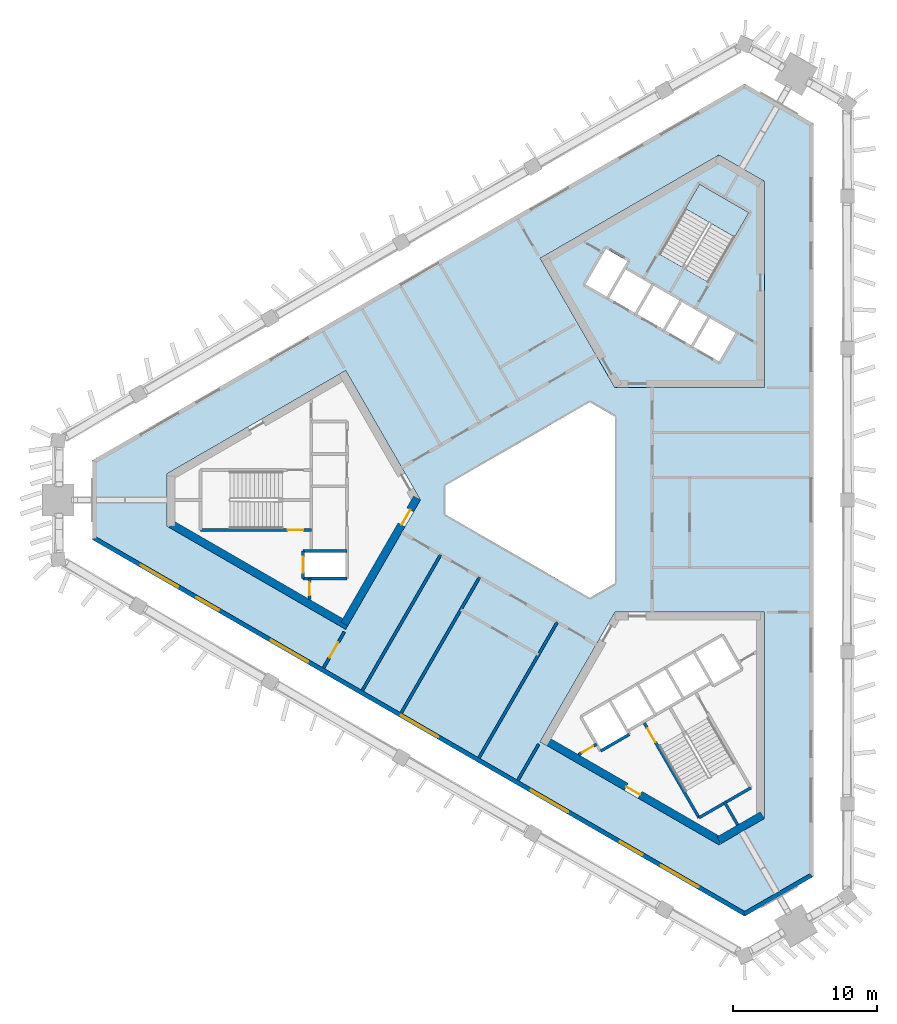
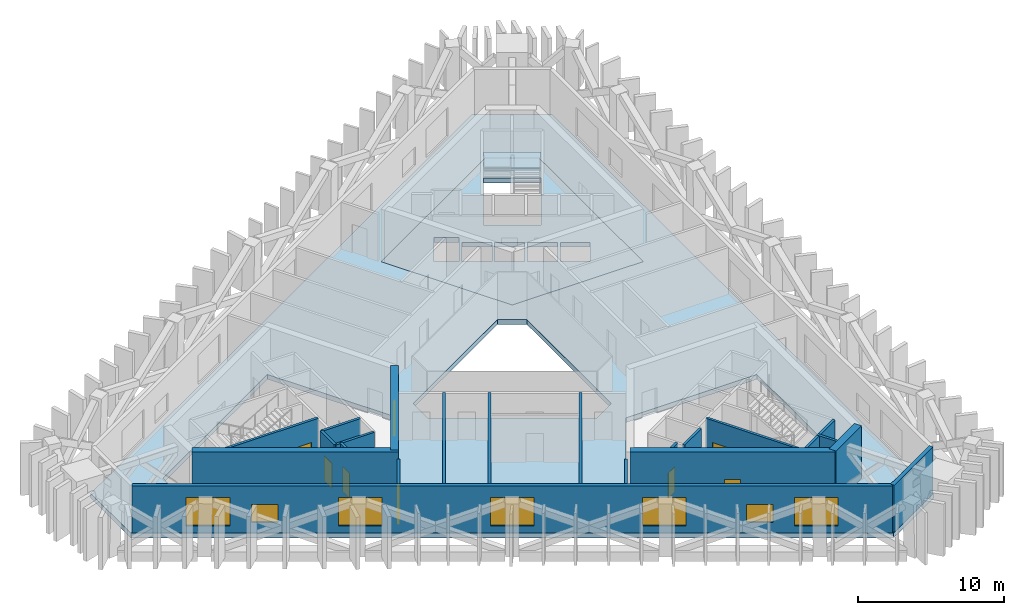
# One storey, part 3 of 9: 21 walls, 8 doors, 7 windows, 3 slabs, 15 openings, 1 element without a shape of its own.
"""IFC4 building model written with IfcOpenShell, lengths in metres."""

from ifc_helpers import new_model, si_unit, direction, frame, frame_2d, origin, place, context, subcontext, project, spatial, polyline, rectangle, outline, extrude, material, layer, layer_set, type_object, element, fill, aggregate, save


model = new_model("IFC4")

# Units and contexts
model_context = context("Model", 3, precision=1e-05, world=origin(), true_north=direction((0.0, 1.0)))
body_context = subcontext(model_context, "Body", "Model", "MODEL_VIEW")
ifc_project = project(units=[si_unit("LENGTHUNIT", "METRE"), si_unit("AREAUNIT", "SQUARE_METRE"), si_unit("VOLUMEUNIT", "CUBIC_METRE"), si_unit("PLANEANGLEUNIT", "RADIAN"), si_unit("MASSUNIT", "GRAM", prefix="KILO")], contexts=[model_context])

# Site, building, storey
site_placement = place(None, origin())
site = spatial("IfcSite", under=ifc_project, at=site_placement, CompositionType="ELEMENT")
building_placement = place(site_placement, origin())
building = spatial("IfcBuilding", under=site, at=building_placement, Name="Jabali Bay Hotel Tower and Convention Centre", CompositionType="ELEMENT")
storey_placement = place(building_placement, frame((0.0, 0.0, 197.0)))
storey = spatial("IfcBuildingStorey", under=building, at=storey_placement, Name="L48", CompositionType="ELEMENT", Elevation=197.0)

# Slabs
ifc_material_1 = material(Name="Concrete C40", Category="concrete")
ifc_layer_1 = layer(ifc_material_1, 0.39990234375)
ifc_layer_set_1 = layer_set([ifc_layer_1], Name="Concrete C40")
slab_type_1 = type_object("IfcSlabType", Name="Core floor slab 400", PredefinedType="FLOOR", material=ifc_layer_set_1)
slab_1_placement = place(storey_placement, frame((0.0, 0.0, -0.39990234375)))
element("IfcSlab", 1, at=slab_1_placement, inside=storey, type_object=slab_type_1, Name="Core floor slab 2 L48", PredefinedType="FLOOR", context=body_context, shape_type="SweptSolid", body=[
    extrude(outline(polyline([(79.5, 87.794189453125), (89.8798828125, 87.794189453125), (89.8798828125, 102.127685546875), (86.72314453125, 103.9501953125), (74.31005859375, 96.78369140625), (79.5, 87.794189453125)]), holes=[polyline([(84.957763671875, 90.6474609375), (86.733154296875, 89.62255859375), (87.873291015625, 91.59716796875), (86.097900390625, 92.6220703125), (84.957763671875, 90.6474609375)]), polyline([(84.1494140625, 93.7470703125), (83.00927734375, 91.7724609375), (84.78466796875, 90.74755859375), (85.924560546875, 92.72216796875), (84.1494140625, 93.7470703125)]), polyline([(82.20068359375, 94.8720703125), (81.060791015625, 92.8974609375), (82.836181640625, 91.87255859375), (83.97607421875, 93.84716796875), (82.20068359375, 94.8720703125)]), polyline([(79.1123046875, 94.0224609375), (80.887451171875, 92.99755859375), (82.027587890625, 94.97216796875), (80.252197265625, 95.9970703125), (79.1123046875, 94.0224609375)]), polyline([(78.891845703125, 97.440673828125), (77.466796875, 94.97265625), (78.93896484375, 94.12255859375), (80.364013671875, 96.5908203125), (78.891845703125, 97.440673828125)]), polyline([(82.584716796875, 97.0869140625), (86.00537109375, 95.11181640625), (88.80029296875, 99.952880859375), (85.379638671875, 101.927978515625), (82.584716796875, 97.0869140625)])]), origin(), (0.0, 0.0, 1.0), 0.39990234375),
])
ifc_layer_2 = layer(ifc_material_1, 0.39990234375)
ifc_layer_set_2 = layer_set([ifc_layer_2], Name="Concrete C40")
slab_type_2 = type_object("IfcSlabType", Name="Post-tensioned flat slab 400", PredefinedType="FLOOR", material=ifc_layer_set_2)
slab_2_placement = place(storey_placement, frame((0.0, 0.0, -0.39990234375)))
element("IfcSlab", 2, at=slab_2_placement, inside=storey, type_object=slab_type_2, Name="Floor slab L48", PredefinedType="FLOOR", context=body_context, shape_type="SweptSolid", body=[
    extrude(outline(polyline([(88.509521484375, 108.90576171875), (93.278564453125, 106.152587890625), (93.278564453125, 53.847412109375), (88.509521484375, 51.09423828125), (43.2119140625, 77.24658203125), (43.2119140625, 82.75341796875), (88.509521484375, 108.90576171875)]), holes=[polyline([(67.73193359375, 79.0), (77.76806640625, 73.205810546875), (79.5, 74.205810546875), (79.5, 85.794189453125), (77.76806640625, 86.794189453125), (67.73193359375, 81.0), (67.73193359375, 79.0)]), polyline([(48.39697265625, 78.17724609375), (60.81005859375, 71.0107421875), (66.0, 80.0), (60.81005859375, 88.9892578125), (48.39697265625, 81.82275390625), (48.39697265625, 78.17724609375)]), polyline([(89.8798828125, 102.127685546875), (86.72314453125, 103.9501953125), (74.31005859375, 96.78369140625), (79.5, 87.794189453125), (89.8798828125, 87.794189453125), (89.8798828125, 102.127685546875)]), polyline([(74.31005859375, 63.21630859375), (86.72314453125, 56.0498046875), (89.8798828125, 57.872314453125), (89.8798828125, 72.205810546875), (79.5, 72.205810546875), (74.31005859375, 63.21630859375)])]), origin(), (0.0, 0.0, 1.0), 0.39990234375),
])

# Stair, slab
stair_type = type_object("IfcStairType", Name="Exit stair 1900", PredefinedType="HALF_TURN_STAIR", material=ifc_material_1)
stair_placement = place(storey_placement, origin())
stair = element("IfcStair", 3, at=stair_placement, inside=storey, type_object=stair_type, Name="L48 Exit Stair 2", PredefinedType="HALF_TURN_STAIR")
ifc_layer_3 = layer(ifc_material_1, 0.199951171875)
ifc_layer_set_3 = layer_set([ifc_layer_3], Name="Concrete C40")
slab_type_3 = type_object("IfcSlabType", Name="Stair landing 200", PredefinedType="LANDING", material=ifc_layer_set_3)
slab_3_placement = place(storey_placement, frame((0.0, 0.0, 2.0)))
slab_3 = element("IfcSlab", 4, at=slab_3_placement, type_object=slab_type_3, Name="ST2 landing 1", PredefinedType="LANDING", context=body_context, shape_type="SweptSolid", body=[
    extrude(outline(polyline([(87.81884765625, 98.2529296875), (88.80029296875, 99.952880859375), (85.379638671875, 101.927978515625), (84.398193359375, 100.22802734375), (87.81884765625, 98.2529296875)])), origin(), (0.0, 0.0, 1.0), 0.199951171875),
])
aggregate(stair, [slab_3])

# Wall, opening, door
ifc_layer_4 = layer(ifc_material_1, 0.199951171875)
ifc_layer_set_4 = layer_set([ifc_layer_4], Name="Concrete C40")
wall_type_1 = type_object("IfcWallType", Name="Core partition wall 200", PredefinedType="PARTITIONING", material=ifc_layer_set_4)
wall_1_placement = place(storey_placement, frame((58.300048828125, 74.550048828125, 0.0), z_axis=(0.0, 0.0, 1.0), x_axis=(0.0, -1.0, 0.0)))
wall_1 = element("IfcWall", 5, at=wall_1_placement, inside=storey, type_object=wall_type_1, Name="Core wall 0.11 L48", PredefinedType="PARTITIONING", context=body_context, shape_type="SweptSolid", body=[
    extrude(rectangle(XDim=1.455078125, YDim=0.199951171875, at=frame_2d((0.7275390625, 0.0))), origin(), (0.0, 0.0, 1.0), 3.949951171875),
])
opening_1_placement = place(wall_1_placement, frame((0.277587890625, 0.0, 0.0)))
opening_1 = element("IfcOpeningElement", 6, at=opening_1_placement, cuts=wall_1, Name="Opening D1033", PredefinedType="OPENING", context=body_context, shape_type="SweptSolid", body=[
    extrude(rectangle(XDim=0.89990234375, YDim=2.10009765625, at=frame_2d((0.449951171875, 1.050048828125))), frame((0.0, 0.1103515625, 0.0), z_axis=(0.0, -1.0, 0.0), x_axis=(1.0, 0.0, 0.0)), (0.0, 0.0, 1.0), 0.220947265625),
])
ifc_material_2 = material(Name="Fire-rated steel door", Category="steel")
door_type_1 = type_object("IfcDoorType", Name="Vestibule fire door 900 x 2100", OperationType="NOTDEFINED", PredefinedType="NOTDEFINED", material=ifc_material_2)
door_1_placement = place(opening_1_placement, origin())
door_1 = element("IfcDoor", 7, at=door_1_placement, inside=storey, type_object=door_type_1, Name="Vestibule fire door D1033", OperationType="SINGLE_SWING_LEFT", OverallHeight=2.10009765625, OverallWidth=0.89990234375, PredefinedType="NOTDEFINED", context=body_context, shape_type="SweptSolid", body=[
    extrude(rectangle(XDim=0.89990234375, YDim=2.10009765625, at=frame_2d((0.449951171875, 1.050048828125))), frame((0.0, 0.02490234375, 0.0), z_axis=(0.0, -1.0, 0.0), x_axis=(1.0, 0.0, 0.0)), (0.0, 0.0, 1.0), 0.050048828125),
])
fill(opening_1, door_1)

# Wall
wall_2_placement = place(storey_placement, frame((87.090087890625, 59.0595703125, 0.0), z_axis=(0.0, 0.0, 1.0), x_axis=(0.499951854219, -0.86605319898, 0.0)))
element("IfcWall", 8, at=wall_2_placement, inside=storey, type_object=wall_type_1, Name="Core wall 2.5 L48", PredefinedType="PARTITIONING", context=body_context, shape_type="SweptSolid", body=[
    extrude(rectangle(XDim=1.873291015625, YDim=0.199951171875, at=frame_2d((0.9365234375, 0.0))), origin(), (0.0, 0.0, 1.0), 3.949951171875),
])

# Wall, opening, door
wall_3_placement = place(storey_placement, frame((76.969970703125, 62.315673828125, 0.0), z_axis=(0.0, 0.0, 1.0), x_axis=(0.865982457891, 0.500074377092, 0.0)))
wall_3 = element("IfcWall", 9, at=wall_3_placement, inside=storey, type_object=wall_type_1, Name="Core wall 2.11 L48", PredefinedType="PARTITIONING", context=body_context, shape_type="SweptSolid", body=[
    extrude(rectangle(XDim=1.461181640625, YDim=0.199951171875, at=frame_2d((0.73046875, 0.0))), origin(), (0.0, 0.0, 1.0), 3.949951171875),
])
opening_2_placement = place(wall_3_placement, frame((0.280517578125, 0.0, 0.0)))
opening_2 = element("IfcOpeningElement", 10, at=opening_2_placement, cuts=wall_3, Name="Opening D1048", PredefinedType="OPENING", context=body_context, shape_type="SweptSolid", body=[
    extrude(rectangle(XDim=0.89990234375, YDim=2.10009765625, at=frame_2d((0.449951171875, 1.050048828125))), frame((0.0, 0.1103515625, 0.0), z_axis=(0.0, -1.0, 0.0), x_axis=(1.0, 0.0, 0.0)), (0.0, 0.0, 1.0), 0.220947265625),
])
door_2_placement = place(opening_2_placement, origin())
door_2 = element("IfcDoor", 11, at=door_2_placement, inside=storey, type_object=door_type_1, Name="Vestibule fire door D1048", OperationType="SINGLE_SWING_LEFT", OverallHeight=2.10009765625, OverallWidth=0.89990234375, PredefinedType="NOTDEFINED", context=body_context, shape_type="SweptSolid", body=[
    extrude(rectangle(XDim=0.89990234375, YDim=2.10009765625, at=frame_2d((0.449951171875, 1.050048828125))), frame((0.0, 0.02490234375, 0.0), z_axis=(0.0, -1.0, 0.0), x_axis=(1.0, 0.0, 0.0)), (0.0, 0.0, 1.0), 0.050048828125),
])
fill(opening_2, door_2)

ifc_layer_5 = layer(ifc_material_1, 0.199951171875)
ifc_layer_set_5 = layer_set([ifc_layer_5], Name="Concrete C40")
wall_type_2 = type_object("IfcWallType", Name="Core stair wall 200", PredefinedType="SOLIDWALL", material=ifc_layer_set_5)
wall_4_placement = place(storey_placement, frame((58.419921875, 77.925048828125, 0.0), z_axis=(0.0, 0.0, 1.0), x_axis=(-1.0, 0.0, 0.0)))
wall_4 = element("IfcWall", 12, at=wall_4_placement, inside=storey, type_object=wall_type_2, Name="Core wall 0.6 L48", PredefinedType="SOLIDWALL", context=body_context, shape_type="SweptSolid", body=[
    extrude(rectangle(XDim=7.699951171875, YDim=0.199951171875, at=frame_2d((3.85009765625, 0.0))), origin(), (0.0, 0.0, 1.0), 3.949951171875),
])
opening_3_placement = place(wall_4_placement, frame((0.550048828125, 0.0, 0.0)))
opening_3 = element("IfcOpeningElement", 13, at=opening_3_placement, cuts=wall_4, Name="Opening D1035", PredefinedType="OPENING", context=body_context, shape_type="SweptSolid", body=[
    extrude(rectangle(XDim=1.10009765625, YDim=2.10009765625, at=frame_2d((0.550048828125, 1.050048828125))), frame((0.0, 0.1103515625, 0.0), z_axis=(0.0, -1.0, 0.0), x_axis=(1.0, 0.0, 0.0)), (0.0, 0.0, 1.0), 0.220947265625),
])
door_type_2 = type_object("IfcDoorType", Name="Stair fire door 1100 x 2100", OperationType="NOTDEFINED", PredefinedType="NOTDEFINED", material=ifc_material_2)
door_3_placement = place(opening_3_placement, origin())
door_3 = element("IfcDoor", 14, at=door_3_placement, inside=storey, type_object=door_type_2, Name="Stair fire door D1035", OperationType="SINGLE_SWING_RIGHT", OverallHeight=2.10009765625, OverallWidth=1.10009765625, PredefinedType="NOTDEFINED", context=body_context, shape_type="SweptSolid", body=[
    extrude(rectangle(XDim=1.10009765625, YDim=2.10009765625, at=frame_2d((0.550048828125, 1.050048828125))), frame((0.0, 0.02490234375, 0.0), z_axis=(0.0, -1.0, 0.0), x_axis=(1.0, 0.0, 0.0)), (0.0, 0.0, 1.0), 0.050048828125),
])
fill(opening_3, door_3)

# Walls
for number, where, z_axis, x_axis, name in (
    (15, (60.89990234375, 76.449951171875, 0.0), (0.0, 0.0, 1.0), (-1.0, 0.0, 0.0), "Core wall 0.7 L48"),
    (16, (60.89990234375, 74.550048828125, 0.0), (0.0, 0.0, 1.0), (-1.0, 0.0, 0.0), "Core wall 0.8 L48"),
):
    element("IfcWall", number, at=place(storey_placement, frame(where, z_axis=z_axis, x_axis=x_axis)), inside=storey, type_object=wall_type_2, Name=name, PredefinedType="SOLIDWALL", context=body_context, shape_type="SweptSolid", body=[
        extrude(rectangle(XDim=3.0498046875, YDim=0.199951171875, at=frame_2d((1.52490234375, 0.0))), origin(), (0.0, 0.0, 1.0), 3.949951171875),
    ])

# Wall, opening, door
wall_5_placement = place(storey_placement, frame((57.85009765625, 76.449951171875, 0.0), z_axis=(0.0, 0.0, 1.0), x_axis=(0.0, -1.0, 0.0)))
wall_5 = element("IfcWall", 17, at=wall_5_placement, inside=storey, type_object=wall_type_2, Name="Core wall 0.12 L48", PredefinedType="SOLIDWALL", context=body_context, shape_type="SweptSolid", body=[
    extrude(rectangle(XDim=1.89990234375, YDim=0.199951171875, at=frame_2d((0.949951171875, 0.0))), origin(), (0.0, 0.0, 1.0), 3.949951171875),
])
opening_4_placement = place(wall_5_placement, frame((0.39990234375, 0.0, 0.0)))
opening_4 = element("IfcOpeningElement", 18, at=opening_4_placement, cuts=wall_5, Name="Opening LD5-L48", PredefinedType="OPENING", context=body_context, shape_type="SweptSolid", body=[
    extrude(rectangle(XDim=1.10009765625, YDim=2.10009765625, at=frame_2d((0.550048828125, 1.050048828125))), frame((0.0, 0.1103515625, 0.0), z_axis=(0.0, -1.0, 0.0), x_axis=(1.0, 0.0, 0.0)), (0.0, 0.0, 1.0), 0.220947265625),
])
ifc_material_3 = material(Name="Stainless steel landing door", Category="steel")
door_type_3 = type_object("IfcDoorType", Name="Landing door 1100 x 2100", OperationType="NOTDEFINED", PredefinedType="NOTDEFINED", material=ifc_material_3)
door_4_placement = place(opening_4_placement, origin())
door_4 = element("IfcDoor", 19, at=door_4_placement, inside=storey, type_object=door_type_3, Name="Landing doors LD5-L48", OperationType="SLIDING_TO_RIGHT", OverallHeight=2.10009765625, OverallWidth=1.10009765625, PredefinedType="NOTDEFINED", context=body_context, shape_type="SweptSolid", body=[
    extrude(rectangle(XDim=1.10009765625, YDim=2.10009765625, at=frame_2d((0.550048828125, 1.050048828125))), frame((0.0, 0.02490234375, 0.0), z_axis=(0.0, -1.0, 0.0), x_axis=(1.0, 0.0, 0.0)), (0.0, 0.0, 1.0), 0.050048828125),
])
fill(opening_4, door_4)

wall_6_placement = place(storey_placement, frame((81.492919921875, 64.603759765625, 0.0), z_axis=(0.0, 0.0, 1.0), x_axis=(0.500006057782, -0.866021906294, 0.0)))
wall_6 = element("IfcWall", 20, at=wall_6_placement, inside=storey, type_object=wall_type_2, Name="Core wall 2.2 L48", PredefinedType="SOLIDWALL", context=body_context, shape_type="SweptSolid", body=[
    extrude(rectangle(XDim=7.7001953125, YDim=0.199951171875, at=frame_2d((3.85009765625, 0.0))), origin(), (0.0, 0.0, 1.0), 3.949951171875),
])
opening_5_placement = place(wall_6_placement, frame((0.550048828125, 0.0, 0.0)))
opening_5 = element("IfcOpeningElement", 21, at=opening_5_placement, cuts=wall_6, Name="Opening D1050", PredefinedType="OPENING", context=body_context, shape_type="SweptSolid", body=[
    extrude(rectangle(XDim=1.10009765625, YDim=2.10009765625, at=frame_2d((0.550048828125, 1.050048828125))), frame((0.0, 0.1103515625, 0.0), z_axis=(0.0, -1.0, 0.0), x_axis=(1.0, 0.0, 0.0)), (0.0, 0.0, 1.0), 0.220947265625),
])
door_5_placement = place(opening_5_placement, origin())
door_5 = element("IfcDoor", 22, at=door_5_placement, inside=storey, type_object=door_type_2, Name="Stair fire door D1050", OperationType="SINGLE_SWING_LEFT", OverallHeight=2.10009765625, OverallWidth=1.10009765625, PredefinedType="NOTDEFINED", context=body_context, shape_type="SweptSolid", body=[
    extrude(rectangle(XDim=1.10009765625, YDim=2.10009765625, at=frame_2d((0.550048828125, 1.050048828125))), frame((0.0, 0.02490234375, 0.0), z_axis=(0.0, -1.0, 0.0), x_axis=(1.0, 0.0, 0.0)), (0.0, 0.0, 1.0), 0.050048828125),
])
fill(opening_5, door_5)

# Walls
wall_7_placement = place(storey_placement, frame((78.51025390625, 62.570068359375, 0.0), z_axis=(0.0, 0.0, 1.0), x_axis=(0.866053019151, 0.499952165731, 0.0)))
element("IfcWall", 23, at=wall_7_placement, inside=storey, type_object=wall_type_2, Name="Core wall 2.14 L48", PredefinedType="SOLIDWALL", context=body_context, shape_type="SweptSolid", body=[
    extrude(rectangle(XDim=2.300048828125, YDim=0.199951171875, at=frame_2d((1.14990234375, 0.0))), origin(), (0.0, 0.0, 1.0), 3.949951171875),
])
wall_8_placement = place(storey_placement, frame((85.343017578125, 57.935302734375, 0.0), z_axis=(0.0, 0.0, 1.0), x_axis=(0.866004344652, 0.500036473714, 0.0)))
element("IfcWall", 24, at=wall_8_placement, inside=storey, type_object=wall_type_2, Name="Core wall 2.16 L48", PredefinedType="SOLIDWALL", context=body_context, shape_type="SweptSolid", body=[
    extrude(rectangle(XDim=4.150146484375, YDim=0.199951171875, at=frame_2d((2.0751953125, 0.0))), origin(), (0.0, 0.0, 1.0), 3.949951171875),
])
ifc_material_4 = material(Name="Concrete C60", Category="concrete")
ifc_layer_6 = layer(ifc_material_4, 0.550048828125)
ifc_layer_set_6 = layer_set([ifc_layer_6], Name="Concrete C60")
wall_type_3 = type_object("IfcWallType", Name="Core wall 550", PredefinedType="SHEAR", material=ifc_layer_set_6)
wall_9_placement = place(storey_placement, frame((48.671875, 78.336181640625, 0.0), z_axis=(0.0, 0.0, 1.0), x_axis=(0.866023530946, -0.500003243837, 0.0)))
element("IfcWall", 25, at=wall_9_placement, inside=storey, type_object=wall_type_3, Name="Core wall 1.4 L48", PredefinedType="SHEAR", context=body_context, shape_type="SweptSolid", body=[
    extrude(rectangle(XDim=14.1748046875, YDim=0.550048828125, at=frame_2d((7.08740234375, 0.0))), origin(), (0.0, 0.0, 1.0), 4.39990234375),
])

# Wall, opening, door
wall_10_placement = place(storey_placement, frame((60.709228515625, 71.38623046875, 0.0), z_axis=(0.0, 0.0, 1.0), x_axis=(0.500015938302, 0.866016201606, 0.0)))
wall_10 = element("IfcWall", 26, at=wall_10_placement, inside=storey, type_object=wall_type_3, Name="Core wall 1.5 L48", PredefinedType="SHEAR", context=body_context, shape_type="SweptSolid", body=[
    extrude(rectangle(XDim=10.105224609375, YDim=0.550048828125, at=frame_2d((5.052734375, 0.0))), origin(), (0.0, 0.0, 1.0), 4.39990234375),
])
opening_6_placement = place(wall_10_placement, frame((7.955078125, 0.0, 0.0)))
opening_6 = element("IfcOpeningElement", 27, at=opening_6_placement, cuts=wall_10, Name="Opening D1029", PredefinedType="OPENING", context=body_context, shape_type="SweptSolid", body=[
    extrude(rectangle(XDim=1.199951171875, YDim=2.10009765625, at=frame_2d((0.60009765625, 1.050048828125))), frame((0.0, 0.28564453125, 0.0), z_axis=(0.0, -1.0, 0.0), x_axis=(1.0, 0.0, 0.0)), (0.0, 0.0, 1.0), 0.571044921875),
])
door_type_4 = type_object("IfcDoorType", Name="Corridor end fire door 1200 x 2100", OperationType="NOTDEFINED", PredefinedType="NOTDEFINED", material=ifc_material_2)
door_6_placement = place(opening_6_placement, origin())
door_6 = element("IfcDoor", 28, at=door_6_placement, inside=storey, type_object=door_type_4, Name="Corridor end fire door D1029", OperationType="SINGLE_SWING_LEFT", OverallHeight=2.10009765625, OverallWidth=1.199951171875, PredefinedType="NOTDEFINED", context=body_context, shape_type="SweptSolid", body=[
    extrude(rectangle(XDim=1.199951171875, YDim=2.10009765625, at=frame_2d((0.60009765625, 1.050048828125))), frame((0.0, 0.02490234375, 0.0), z_axis=(0.0, -1.0, 0.0), x_axis=(1.0, 0.0, 0.0)), (0.0, 0.0, 1.0), 0.050048828125),
])
fill(opening_6, door_6)

wall_11_placement = place(storey_placement, frame((74.685546875, 63.317138671875, 0.0), z_axis=(0.0, 0.0, 1.0), x_axis=(0.866024505738, -0.500001555459, 0.0)))
wall_11 = element("IfcWall", 29, at=wall_11_placement, inside=storey, type_object=wall_type_3, Name="Core wall 3.2 L48", PredefinedType="SHEAR", context=body_context, shape_type="SweptSolid", body=[
    extrude(rectangle(XDim=14.05859375, YDim=0.550048828125, at=frame_2d((7.029296875, 0.0))), origin(), (0.0, 0.0, 1.0), 4.39990234375),
])
opening_7_placement = place(wall_11_placement, frame((6.47509765625, 0.0, 0.0)))
opening_7 = element("IfcOpeningElement", 30, at=opening_7_placement, cuts=wall_11, Name="Opening D1051", PredefinedType="OPENING", context=body_context, shape_type="SweptSolid", body=[
    extrude(rectangle(XDim=1.10009765625, YDim=2.10009765625, at=frame_2d((0.550048828125, 1.050048828125))), frame((0.0, 0.28564453125, 0.0), z_axis=(0.0, -1.0, 0.0), x_axis=(1.0, 0.0, 0.0)), (0.0, 0.0, 1.0), 0.571044921875),
])
door_type_5 = type_object("IfcDoorType", Name="Vestibule fire door 1100 x 2100", OperationType="NOTDEFINED", PredefinedType="NOTDEFINED", material=ifc_material_2)
door_7_placement = place(opening_7_placement, origin())
door_7 = element("IfcDoor", 31, at=door_7_placement, inside=storey, type_object=door_type_5, Name="Vestibule fire door D1051", OperationType="SINGLE_SWING_RIGHT", OverallHeight=2.10009765625, OverallWidth=1.10009765625, PredefinedType="NOTDEFINED", context=body_context, shape_type="SweptSolid", body=[
    extrude(rectangle(XDim=1.10009765625, YDim=2.10009765625, at=frame_2d((0.550048828125, 1.050048828125))), frame((0.0, 0.02490234375, 0.0), z_axis=(0.0, -1.0, 0.0), x_axis=(1.0, 0.0, 0.0)), (0.0, 0.0, 1.0), 0.050048828125),
])
fill(opening_7, door_7)

# Walls
wall_12_placement = place(storey_placement, frame((86.72314453125, 56.3671875, 0.0), z_axis=(0.0, 0.0, 1.0), x_axis=(0.865997833373, 0.500047750313, 0.0)))
element("IfcWall", 32, at=wall_12_placement, inside=storey, type_object=wall_type_3, Name="Core wall 3.3 L48", PredefinedType="SHEAR", context=body_context, shape_type="SweptSolid", body=[
    extrude(rectangle(XDim=3.486572265625, YDim=0.550048828125, at=frame_2d((1.7431640625, 0.0))), origin(), (0.0, 0.0, 1.0), 4.39990234375),
])
ifc_layer_7 = layer(ifc_material_1, 0.300048828125)
ifc_layer_set_7 = layer_set([ifc_layer_7], Name="Concrete C40")
wall_type_4 = type_object("IfcWallType", Name="External wall 300", PredefinedType="SOLIDWALL", material=ifc_layer_set_7)
wall_13_placement = place(storey_placement, frame((93.12841796875, 53.93408203125, 0.0), z_axis=(0.0, 0.0, 1.0), x_axis=(-0.866023218336, -0.500003785289, 0.0)))
element("IfcWall", 33, at=wall_13_placement, inside=storey, type_object=wall_type_4, Name="External wall south-east chamfer L48", PredefinedType="SOLIDWALL", context=body_context, shape_type="SweptSolid", body=[
    extrude(rectangle(XDim=5.33349609375, YDim=0.300048828125, at=frame_2d((2.666748046875, 0.0))), origin(), (0.0, 0.0, 1.0), 3.949951171875),
])

# Wall, openings, windows
wall_14_placement = place(storey_placement, frame((88.509521484375, 51.267333984375, 0.0), z_axis=(0.0, 0.0, 1.0), x_axis=(-0.866025243948, 0.500000276845, 0.0)))
wall_14 = element("IfcWall", 34, at=wall_14_placement, inside=storey, type_object=wall_type_4, Name="External wall south-west face L48", PredefinedType="SOLIDWALL", context=body_context, shape_type="SweptSolid", body=[
    extrude(rectangle(XDim=52.1318359375, YDim=0.300048828125, at=frame_2d((26.06591796875, 0.0))), origin(), (0.0, 0.0, 1.0), 3.949951171875),
])
opening_8_placement = place(wall_14_placement, frame((42.139404296875, 0.0, 0.89990234375)))
opening_8 = element("IfcOpeningElement", 35, at=opening_8_placement, cuts=wall_14, Name="Opening W1", PredefinedType="OPENING", context=body_context, shape_type="SweptSolid", body=[
    extrude(rectangle(XDim=1.800048828125, YDim=1.5, at=frame_2d((0.89990234375, 0.75))), frame((0.0, 0.16064453125, 0.0), z_axis=(0.0, -1.0, 0.0), x_axis=(1.0, 0.0, 0.0)), (0.0, 0.0, 1.0), 0.321044921875),
])
opening_9_placement = place(wall_14_placement, frame((8.192626953125, 0.0, 0.89990234375)))
opening_9 = element("IfcOpeningElement", 36, at=opening_9_placement, cuts=wall_14, Name="Opening W1", PredefinedType="OPENING", context=body_context, shape_type="SweptSolid", body=[
    extrude(rectangle(XDim=1.800048828125, YDim=1.5, at=frame_2d((0.89990234375, 0.75))), frame((0.0, 0.16064453125, 0.0), z_axis=(0.0, -1.0, 0.0), x_axis=(1.0, 0.0, 0.0)), (0.0, 0.0, 1.0), 0.321044921875),
])
opening_10_placement = place(wall_14_placement, frame((3.713134765625, 0.0, 0.60009765625)))
opening_10 = element("IfcOpeningElement", 37, at=opening_10_placement, cuts=wall_14, Name="Opening W2", PredefinedType="OPENING", context=body_context, shape_type="SweptSolid", body=[
    extrude(rectangle(XDim=3.0, YDim=2.39990234375, at=frame_2d((1.5, 1.199951171875))), frame((0.0, 0.16064453125, 0.0), z_axis=(0.0, -1.0, 0.0), x_axis=(1.0, 0.0, 0.0)), (0.0, 0.0, 1.0), 0.321044921875),
])
opening_11_placement = place(wall_14_placement, frame((14.1396484375, 0.0, 0.60009765625)))
opening_11 = element("IfcOpeningElement", 38, at=opening_11_placement, cuts=wall_14, Name="Opening W2", PredefinedType="OPENING", context=body_context, shape_type="SweptSolid", body=[
    extrude(rectangle(XDim=3.0, YDim=2.39990234375, at=frame_2d((1.5, 1.199951171875))), frame((0.0, 0.16064453125, 0.0), z_axis=(0.0, -1.0, 0.0), x_axis=(1.0, 0.0, 0.0)), (0.0, 0.0, 1.0), 0.321044921875),
])
opening_12_placement = place(wall_14_placement, frame((24.56591796875, 0.0, 0.60009765625)))
opening_12 = element("IfcOpeningElement", 39, at=opening_12_placement, cuts=wall_14, Name="Opening W2", PredefinedType="OPENING", context=body_context, shape_type="SweptSolid", body=[
    extrude(rectangle(XDim=3.0, YDim=2.39990234375, at=frame_2d((1.5, 1.199951171875))), frame((0.0, 0.16064453125, 0.0), z_axis=(0.0, -1.0, 0.0), x_axis=(1.0, 0.0, 0.0)), (0.0, 0.0, 1.0), 0.321044921875),
])
opening_13_placement = place(wall_14_placement, frame((34.992431640625, 0.0, 0.60009765625)))
opening_13 = element("IfcOpeningElement", 40, at=opening_13_placement, cuts=wall_14, Name="Opening W2", PredefinedType="OPENING", context=body_context, shape_type="SweptSolid", body=[
    extrude(rectangle(XDim=3.0, YDim=2.39990234375, at=frame_2d((1.5, 1.199951171875))), frame((0.0, 0.16064453125, 0.0), z_axis=(0.0, -1.0, 0.0), x_axis=(1.0, 0.0, 0.0)), (0.0, 0.0, 1.0), 0.321044921875),
])
opening_14_placement = place(wall_14_placement, frame((45.418701171875, 0.0, 0.60009765625)))
opening_14 = element("IfcOpeningElement", 41, at=opening_14_placement, cuts=wall_14, Name="Opening W2", PredefinedType="OPENING", context=body_context, shape_type="SweptSolid", body=[
    extrude(rectangle(XDim=3.0, YDim=2.39990234375, at=frame_2d((1.5, 1.199951171875))), frame((0.0, 0.16064453125, 0.0), z_axis=(0.0, -1.0, 0.0), x_axis=(1.0, 0.0, 0.0)), (0.0, 0.0, 1.0), 0.321044921875),
])
ifc_material_5 = material(Name="Aluminium", Category="aluminium")
window_type_1 = type_object("IfcWindowType", Name="Louvred ventilation panel 3000 x 2400", PartitioningType="SINGLE_PANEL", PredefinedType="WINDOW", material=ifc_material_5)
window_1_placement = place(opening_10_placement, origin())
window_1 = element("IfcWindow", 42, at=window_1_placement, inside=storey, type_object=window_type_1, Name="Louvred panel 1", OverallHeight=2.39990234375, OverallWidth=3.0, PartitioningType="SINGLE_PANEL", PredefinedType="WINDOW", context=body_context, shape_type="SweptSolid", body=[
    extrude(rectangle(XDim=3.0, YDim=2.39990234375, at=frame_2d((1.5, 1.199951171875))), frame((0.0, 0.030029296875, 0.0), z_axis=(0.0, -1.0, 0.0), x_axis=(1.0, 0.0, 0.0)), (0.0, 0.0, 1.0), 0.06005859375),
])
fill(opening_10, window_1)
window_2_placement = place(opening_11_placement, origin())
window_2 = element("IfcWindow", 43, at=window_2_placement, inside=storey, type_object=window_type_1, Name="Louvred panel 2", OverallHeight=2.39990234375, OverallWidth=3.0, PartitioningType="SINGLE_PANEL", PredefinedType="WINDOW", context=body_context, shape_type="SweptSolid", body=[
    extrude(rectangle(XDim=3.0, YDim=2.39990234375, at=frame_2d((1.5, 1.199951171875))), frame((0.0, 0.030029296875, 0.0), z_axis=(0.0, -1.0, 0.0), x_axis=(1.0, 0.0, 0.0)), (0.0, 0.0, 1.0), 0.06005859375),
])
fill(opening_11, window_2)
window_3_placement = place(opening_12_placement, origin())
window_3 = element("IfcWindow", 44, at=window_3_placement, inside=storey, type_object=window_type_1, Name="Louvred panel 3", OverallHeight=2.39990234375, OverallWidth=3.0, PartitioningType="SINGLE_PANEL", PredefinedType="WINDOW", context=body_context, shape_type="SweptSolid", body=[
    extrude(rectangle(XDim=3.0, YDim=2.39990234375, at=frame_2d((1.5, 1.199951171875))), frame((0.0, 0.030029296875, 0.0), z_axis=(0.0, -1.0, 0.0), x_axis=(1.0, 0.0, 0.0)), (0.0, 0.0, 1.0), 0.06005859375),
])
fill(opening_12, window_3)
window_4_placement = place(opening_13_placement, origin())
window_4 = element("IfcWindow", 45, at=window_4_placement, inside=storey, type_object=window_type_1, Name="Louvred panel 4", OverallHeight=2.39990234375, OverallWidth=3.0, PartitioningType="SINGLE_PANEL", PredefinedType="WINDOW", context=body_context, shape_type="SweptSolid", body=[
    extrude(rectangle(XDim=3.0, YDim=2.39990234375, at=frame_2d((1.5, 1.199951171875))), frame((0.0, 0.030029296875, 0.0), z_axis=(0.0, -1.0, 0.0), x_axis=(1.0, 0.0, 0.0)), (0.0, 0.0, 1.0), 0.06005859375),
])
fill(opening_13, window_4)
window_5_placement = place(opening_14_placement, origin())
window_5 = element("IfcWindow", 46, at=window_5_placement, inside=storey, type_object=window_type_1, Name="Louvred panel 5", OverallHeight=2.39990234375, OverallWidth=3.0, PartitioningType="SINGLE_PANEL", PredefinedType="WINDOW", context=body_context, shape_type="SweptSolid", body=[
    extrude(rectangle(XDim=3.0, YDim=2.39990234375, at=frame_2d((1.5, 1.199951171875))), frame((0.0, 0.030029296875, 0.0), z_axis=(0.0, -1.0, 0.0), x_axis=(1.0, 0.0, 0.0)), (0.0, 0.0, 1.0), 0.06005859375),
])
fill(opening_14, window_5)
ifc_material_6 = material(Name="Glass", Category="glass")
window_type_2 = type_object("IfcWindowType", Name="Window 1800 x 1500", PartitioningType="SINGLE_PANEL", PredefinedType="WINDOW", material=ifc_material_6)
window_6_placement = place(opening_8_placement, origin())
window_6 = element("IfcWindow", 47, at=window_6_placement, inside=storey, type_object=window_type_2, Name="Window", OverallHeight=1.5, OverallWidth=1.800048828125, PartitioningType="SINGLE_PANEL", PredefinedType="WINDOW", context=body_context, shape_type="SweptSolid", body=[
    extrude(rectangle(XDim=1.800048828125, YDim=1.5, at=frame_2d((0.89990234375, 0.75))), frame((0.0, 0.030029296875, 0.0), z_axis=(0.0, -1.0, 0.0), x_axis=(1.0, 0.0, 0.0)), (0.0, 0.0, 1.0), 0.06005859375),
])
fill(opening_8, window_6)
window_7_placement = place(opening_9_placement, origin())
window_7 = element("IfcWindow", 48, at=window_7_placement, inside=storey, type_object=window_type_2, Name="Window", OverallHeight=1.5, OverallWidth=1.800048828125, PartitioningType="SINGLE_PANEL", PredefinedType="WINDOW", context=body_context, shape_type="SweptSolid", body=[
    extrude(rectangle(XDim=1.800048828125, YDim=1.5, at=frame_2d((0.89990234375, 0.75))), frame((0.0, 0.030029296875, 0.0), z_axis=(0.0, -1.0, 0.0), x_axis=(1.0, 0.0, 0.0)), (0.0, 0.0, 1.0), 0.06005859375),
])
fill(opening_9, window_7)

# Wall
ifc_material_7 = material(Name="Plasterboard on steel stud", Category="steel")
ifc_layer_8 = layer(ifc_material_7, 0.199951171875)
ifc_layer_set_8 = layer_set([ifc_layer_8], Name="Plasterboard on steel stud")
wall_type_5 = type_object("IfcWallType", Name="Partition 200 plant", PredefinedType="PARTITIONING", material=ifc_layer_set_8)
wall_15_placement = place(storey_placement, frame((61.960205078125, 66.767578125, 0.0), z_axis=(0.0, 0.0, 1.0), x_axis=(0.49999829022, 0.866026390924, 0.0)))
element("IfcWall", 49, at=wall_15_placement, inside=storey, type_object=wall_type_5, Name="Partition P04 L48 013", PredefinedType="PARTITIONING", context=body_context, shape_type="SweptSolid", body=[
    extrude(rectangle(XDim=10.87939453125, YDim=0.199951171875, at=frame_2d((5.439697265625, 0.0))), origin(), (0.0, 0.0, 1.0), 3.949951171875),
])

# Wall, opening, door
wall_16_placement = place(storey_placement, frame((59.26025390625, 68.326416015625, 0.0), z_axis=(0.0, 0.0, 1.0), x_axis=(0.499977468037, 0.866038412228, 0.0)))
wall_16 = element("IfcWall", 50, at=wall_16_placement, inside=storey, type_object=wall_type_5, Name="Partition P04 L48 014", PredefinedType="PARTITIONING", context=body_context, shape_type="SweptSolid", body=[
    extrude(rectangle(XDim=2.900634765625, YDim=0.199951171875, at=frame_2d((1.4501953125, 0.0))), origin(), (0.0, 0.0, 1.0), 3.949951171875),
])
opening_15_placement = place(wall_16_placement, frame((0.85009765625, 0.0, 0.0)))
opening_15 = element("IfcOpeningElement", 51, at=opening_15_placement, cuts=wall_16, Name="Opening 4816", PredefinedType="OPENING", context=body_context, shape_type="SweptSolid", body=[
    extrude(rectangle(XDim=1.199951171875, YDim=2.39990234375, at=frame_2d((0.60009765625, 1.199951171875))), frame((0.0, 0.1103515625, 0.0), z_axis=(0.0, -1.0, 0.0), x_axis=(1.0, 0.0, 0.0)), (0.0, 0.0, 1.0), 0.220947265625),
])
ifc_material_8 = material(Name="Timber", Category="wood")
door_type_6 = type_object("IfcDoorType", Name="Public room door 1200 x 2400", OperationType="NOTDEFINED", PredefinedType="NOTDEFINED", material=ifc_material_8)
door_8_placement = place(opening_15_placement, origin())
door_8 = element("IfcDoor", 52, at=door_8_placement, inside=storey, type_object=door_type_6, Name="Door 4816", OperationType="SINGLE_SWING_LEFT", OverallHeight=2.39990234375, OverallWidth=1.199951171875, PredefinedType="NOTDEFINED", context=body_context, shape_type="SweptSolid", body=[
    extrude(rectangle(XDim=1.199951171875, YDim=2.39990234375, at=frame_2d((0.60009765625, 1.199951171875))), frame((0.0, 0.02490234375, 0.0), z_axis=(0.0, -1.0, 0.0), x_axis=(1.0, 0.0, 0.0)), (0.0, 0.0, 1.0), 0.050048828125),
])
fill(opening_15, door_8)

# Walls
wall_17_placement = place(storey_placement, frame((74.21044921875, 63.044189453125, 0.0), z_axis=(0.0, 0.0, 1.0), x_axis=(-0.499977468037, -0.866038412228, 0.0)))
element("IfcWall", 53, at=wall_17_placement, inside=storey, type_object=wall_type_5, Name="Partition P04 L48 018", PredefinedType="PARTITIONING", context=body_context, shape_type="SweptSolid", body=[
    extrude(rectangle(XDim=2.900634765625, YDim=0.199951171875, at=frame_2d((1.4501953125, 0.0))), origin(), (0.0, 0.0, 1.0), 3.949951171875),
])
ifc_layer_9 = layer(ifc_material_7, 0.199951171875)
ifc_layer_set_9 = layer_set([ifc_layer_9], Name="Plasterboard on steel stud")
wall_type_6 = type_object("IfcWallType", Name="Partition 200 refuge", PredefinedType="PARTITIONING", material=ifc_layer_set_9)
wall_18_placement = place(storey_placement, frame((64.66015625, 65.208740234375, 0.0), z_axis=(0.0, 0.0, 1.0), x_axis=(0.500015120401, 0.866016673841, 0.0)))
element("IfcWall", 54, at=wall_18_placement, inside=storey, type_object=wall_type_6, Name="Partition P05 L48 015", PredefinedType="PARTITIONING", context=body_context, shape_type="SweptSolid", body=[
    extrude(rectangle(XDim=10.879638671875, YDim=0.199951171875, at=frame_2d((5.43994140625, 0.0))), origin(), (0.0, 0.0, 1.0), 3.949951171875),
])
wall_19_placement = place(storey_placement, frame((70.060302734375, 62.091064453125, 0.0), z_axis=(0.0, 0.0, 1.0), x_axis=(0.49999829022, 0.866026390924, 0.0)))
element("IfcWall", 55, at=wall_19_placement, inside=storey, type_object=wall_type_6, Name="Partition P05 L48 017", PredefinedType="PARTITIONING", context=body_context, shape_type="SweptSolid", body=[
    extrude(rectangle(XDim=10.87939453125, YDim=0.199951171875, at=frame_2d((5.439697265625, 0.0))), origin(), (0.0, 0.0, 1.0), 3.949951171875),
])

save(model, "model.ifc")
